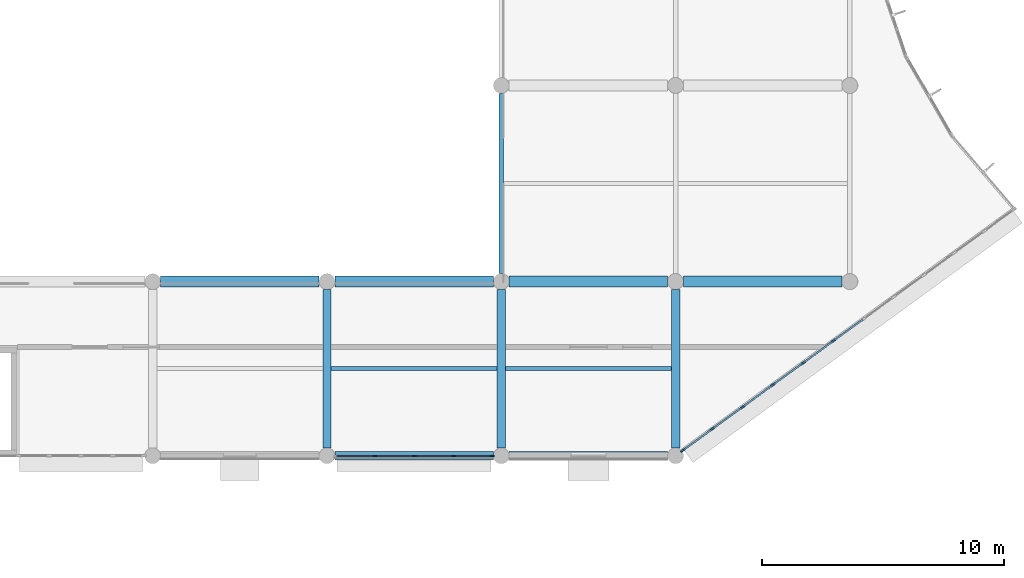
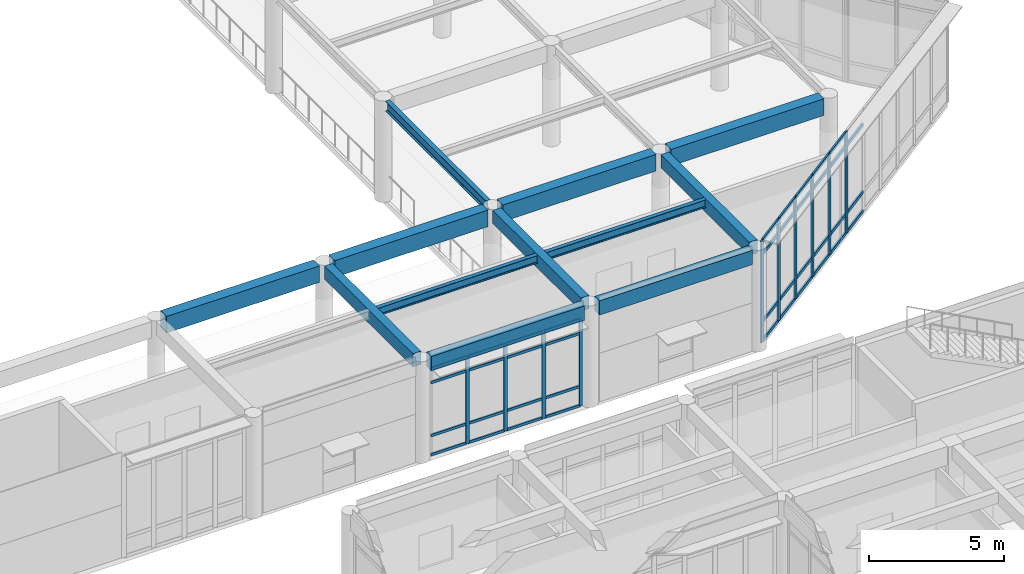
# One storey, part 8 of 92: 49 members, 12 beams, 2 elements without a shape of their own.
"""IFC4 building model written with IfcOpenShell, lengths in metres."""

from ifc_helpers import new_model, si_unit, direction, frame, origin, origin_2d, place, context, subcontext, project, spatial, rectangle, i_section, extrude, material, layer, layer_set, material_profile, profile_set, type_object, element, aggregate, save


model = new_model("IFC4")

# Units and contexts
model_context = context("Model", 3, precision=1e-05, world=origin(), true_north=direction((0.0, 1.0)))
body_context = subcontext(model_context, "Body", "Model", "MODEL_VIEW")
ifc_project = project(units=[si_unit("LENGTHUNIT", "METRE"), si_unit("AREAUNIT", "SQUARE_METRE"), si_unit("VOLUMEUNIT", "CUBIC_METRE"), si_unit("PLANEANGLEUNIT", "RADIAN"), si_unit("MASSUNIT", "GRAM", prefix="KILO")], contexts=[model_context])

# Site, building, storey
site_placement = place(None, origin())
site = spatial("IfcSite", under=ifc_project, at=site_placement, CompositionType="ELEMENT")
building_placement = place(site_placement, origin())
building = spatial("IfcBuilding", under=site, at=building_placement, Name="Namkhue Oval Health Centre", CompositionType="ELEMENT")
storey_placement = place(building_placement, frame((0.0, 0.0, 4.800048828125)))
storey = spatial("IfcBuildingStorey", under=building, at=storey_placement, Name="L01", CompositionType="ELEMENT", Elevation=4.800048828125)

# Curtain wall, members
ifc_material_1 = material(Name="Anodised aluminium EN AW-6063 T6", Category="aluminium")
ifc_layer_1 = layer(ifc_material_1, 0.159912109375)
ifc_layer_set_1 = layer_set([ifc_layer_1], Name="Anodised aluminium EN AW-6063 T6")
curtain_wall_type_1 = type_object("IfcCurtainWallType", Name="UNITISED CURTAIN WALL M1500", PredefinedType="NOTDEFINED", material=ifc_layer_set_1)
curtain_wall_1_placement = place(storey_placement, origin())
curtain_wall_1 = element("IfcCurtainWall", 1, at=curtain_wall_1_placement, inside=storey, type_object=curtain_wall_type_1, Name="Volume V1 L01 Unitised Curtain Wall 21", PredefinedType="NOTDEFINED")
ifc_material_profile_1 = material_profile(ifc_material_1, rectangle(XDim=0.06494140625, YDim=0.159912109375, at=origin_2d()), Name="ALU 65x160")
ifc_profile_set_1 = profile_set([ifc_material_profile_1], Name="Anodised aluminium EN AW-6063 T6")
member_type_1 = type_object("IfcMemberType", Name="CURTAIN WALL MULLION 65X160", PredefinedType="MULLION", material=ifc_profile_set_1)
member_1_placement = place(storey_placement, frame((45.16748046875, 36.0, 0.0), z_axis=(0.0, 0.0, 1.0), x_axis=(0.0, 1.0, 0.0)))
member_1 = element("IfcMember", 2, at=member_1_placement, type_object=member_type_1, Name="CW-03 mullion 2", PredefinedType="MULLION", context=body_context, shape_type="SweptSolid", body=[
    extrude(rectangle(XDim=0.06494140625, YDim=0.159912109375, at=origin_2d()), origin(), (0.0, 0.0, 1.0), 3.949951171875),
])
member_2_placement = place(storey_placement, frame((46.800048828125, 36.0, 0.0), z_axis=(0.0, 0.0, 1.0), x_axis=(0.0, 1.0, 0.0)))
member_2 = element("IfcMember", 3, at=member_2_placement, type_object=member_type_1, Name="CW-03 mullion 3", PredefinedType="MULLION", context=body_context, shape_type="SweptSolid", body=[
    extrude(rectangle(XDim=0.06494140625, YDim=0.159912109375, at=origin_2d()), origin(), (0.0, 0.0, 1.0), 3.949951171875),
])
member_3_placement = place(storey_placement, frame((48.4326171875, 36.0, 0.0), z_axis=(0.0, 0.0, 1.0), x_axis=(0.0, 1.0, 0.0)))
member_3 = element("IfcMember", 4, at=member_3_placement, type_object=member_type_1, Name="CW-03 mullion 4", PredefinedType="MULLION", context=body_context, shape_type="SweptSolid", body=[
    extrude(rectangle(XDim=0.06494140625, YDim=0.159912109375, at=origin_2d()), origin(), (0.0, 0.0, 1.0), 3.949951171875),
])
member_4_placement = place(storey_placement, frame((50.032470703125, 36.0, 0.0), z_axis=(0.0, 0.0, 1.0), x_axis=(0.0, 1.0, 0.0)))
member_4 = element("IfcMember", 5, at=member_4_placement, type_object=member_type_1, Name="CW-03 mullion 5", PredefinedType="MULLION", context=body_context, shape_type="SweptSolid", body=[
    extrude(rectangle(XDim=0.06494140625, YDim=0.159912109375, at=origin_2d()), origin(), (0.0, 0.0, 1.0), 3.949951171875),
])

ifc_layer_2 = layer(ifc_material_1, 0.159912109375)
ifc_layer_set_2 = layer_set([ifc_layer_2], Name="Anodised aluminium EN AW-6063 T6")
curtain_wall_type_2 = type_object("IfcCurtainWallType", Name="UNITISED CURTAIN WALL M1600", PredefinedType="NOTDEFINED", material=ifc_layer_set_2)
curtain_wall_2_placement = place(storey_placement, origin())
curtain_wall_2 = element("IfcCurtainWall", 6, at=curtain_wall_2_placement, inside=storey, type_object=curtain_wall_type_2, Name="Volume V1 L01 Unitised Curtain Wall 22", PredefinedType="NOTDEFINED")
ifc_material_profile_2 = material_profile(ifc_material_1, rectangle(XDim=0.074951171875, YDim=0.199951171875, at=origin_2d()), Name="ALU 75x200")
ifc_profile_set_2 = profile_set([ifc_material_profile_2], Name="Anodised aluminium EN AW-6063 T6")
member_type_2 = type_object("IfcMemberType", Name="CURTAIN WALL MULLION 75X200", PredefinedType="MULLION", material=ifc_profile_set_2)
member_5_placement = place(storey_placement, frame((57.901123046875, 36.21923828125, 0.0), z_axis=(0.0, 0.0, 1.0), x_axis=(-0.588476942894, 0.808513999682, 0.0)))
member_5 = element("IfcMember", 7, at=member_5_placement, type_object=member_type_2, Name="CW-04 mullion 1", PredefinedType="MULLION", context=body_context, shape_type="SweptSolid", body=[
    extrude(rectangle(XDim=0.074951171875, YDim=0.199951171875, at=origin_2d()), origin(), (0.0, 0.0, 1.0), 4.599853515625),
])
member_6_placement = place(storey_placement, frame((59.12060546875, 37.106689453125, 0.0), z_axis=(0.0, 0.0, 1.0), x_axis=(-0.588476942894, 0.808513999682, 0.0)))
member_6 = element("IfcMember", 8, at=member_6_placement, type_object=member_type_2, Name="CW-04 mullion 2", PredefinedType="MULLION", context=body_context, shape_type="SweptSolid", body=[
    extrude(rectangle(XDim=0.074951171875, YDim=0.199951171875, at=origin_2d()), origin(), (0.0, 0.0, 1.0), 4.599853515625),
])
member_7_placement = place(storey_placement, frame((60.370361328125, 38.016357421875, 0.0), z_axis=(0.0, 0.0, 1.0), x_axis=(-0.588476942894, 0.808513999682, 0.0)))
member_7 = element("IfcMember", 9, at=member_7_placement, type_object=member_type_2, Name="CW-04 mullion 3", PredefinedType="MULLION", context=body_context, shape_type="SweptSolid", body=[
    extrude(rectangle(XDim=0.074951171875, YDim=0.199951171875, at=origin_2d()), origin(), (0.0, 0.0, 1.0), 4.599853515625),
])
member_8_placement = place(storey_placement, frame((61.6201171875, 38.926025390625, 0.0), z_axis=(0.0, 0.0, 1.0), x_axis=(-0.588476942894, 0.808513999682, 0.0)))
member_8 = element("IfcMember", 10, at=member_8_placement, type_object=member_type_2, Name="CW-04 mullion 4", PredefinedType="MULLION", context=body_context, shape_type="SweptSolid", body=[
    extrude(rectangle(XDim=0.074951171875, YDim=0.199951171875, at=origin_2d()), origin(), (0.0, 0.0, 1.0), 4.599853515625),
])
member_9_placement = place(storey_placement, frame((62.869873046875, 39.835693359375, 0.0), z_axis=(0.0, 0.0, 1.0), x_axis=(-0.588476942894, 0.808513999682, 0.0)))
member_9 = element("IfcMember", 11, at=member_9_placement, type_object=member_type_2, Name="CW-04 mullion 5", PredefinedType="MULLION", context=body_context, shape_type="SweptSolid", body=[
    extrude(rectangle(XDim=0.074951171875, YDim=0.199951171875, at=origin_2d()), origin(), (0.0, 0.0, 1.0), 4.599853515625),
])
member_10_placement = place(storey_placement, frame((64.11962890625, 40.7451171875, 0.0), z_axis=(0.0, 0.0, 1.0), x_axis=(-0.588476942894, 0.808513999682, 0.0)))
member_10 = element("IfcMember", 12, at=member_10_placement, type_object=member_type_2, Name="CW-04 mullion 6", PredefinedType="MULLION", context=body_context, shape_type="SweptSolid", body=[
    extrude(rectangle(XDim=0.074951171875, YDim=0.199951171875, at=origin_2d()), origin(), (0.0, 0.0, 1.0), 4.599853515625),
])

# Member
ifc_material_profile_3 = material_profile(ifc_material_1, rectangle(XDim=0.06494140625, YDim=0.1201171875, at=origin_2d()), Name="ALU 65x120")
ifc_profile_set_3 = profile_set([ifc_material_profile_3], Name="Anodised aluminium EN AW-6063 T6")
member_type_3 = type_object("IfcMemberType", Name="CURTAIN WALL TRANSOM 65X120", PredefinedType="USERDEFINED", material=ifc_profile_set_3)
member_11_placement = place(storey_placement, frame((43.60009765625, 36.0, 0.032470703125), z_axis=(1.0, 0.0, 0.0), x_axis=(0.0, 1.0, 0.0)))
member_11 = element("IfcMember", 13, at=member_11_placement, type_object=member_type_3, Name="CW-03 transom 1.1", ObjectType="TRANSOM", PredefinedType="USERDEFINED", context=body_context, shape_type="SweptSolid", body=[
    extrude(rectangle(XDim=0.06494140625, YDim=0.1201171875, at=origin_2d()), origin(), (0.0, 0.0, 1.0), 1.534912109375),
])

member_12_placement = place(storey_placement, frame((43.60009765625, 36.0, 0.89990234375), z_axis=(1.0, 0.0, 0.0), x_axis=(0.0, 1.0, 0.0)))
member_12 = element("IfcMember", 14, at=member_12_placement, type_object=member_type_3, Name="CW-03 transom 1.2", ObjectType="TRANSOM", PredefinedType="USERDEFINED", context=body_context, shape_type="SweptSolid", body=[
    extrude(rectangle(XDim=0.06494140625, YDim=0.1201171875, at=origin_2d()), origin(), (0.0, 0.0, 1.0), 1.534912109375),
])

member_13_placement = place(storey_placement, frame((43.60009765625, 36.0, 3.300048828125), z_axis=(1.0, 0.0, 0.0), x_axis=(0.0, 1.0, 0.0)))
member_13 = element("IfcMember", 15, at=member_13_placement, type_object=member_type_3, Name="CW-03 transom 1.3", ObjectType="TRANSOM", PredefinedType="USERDEFINED", context=body_context, shape_type="SweptSolid", body=[
    extrude(rectangle(XDim=0.06494140625, YDim=0.1201171875, at=origin_2d()), origin(), (0.0, 0.0, 1.0), 1.534912109375),
])

member_14_placement = place(storey_placement, frame((43.60009765625, 36.0, 3.91748046875), z_axis=(1.0, 0.0, 0.0), x_axis=(0.0, 1.0, 0.0)))
member_14 = element("IfcMember", 16, at=member_14_placement, type_object=member_type_3, Name="CW-03 transom 1.4", ObjectType="TRANSOM", PredefinedType="USERDEFINED", context=body_context, shape_type="SweptSolid", body=[
    extrude(rectangle(XDim=0.06494140625, YDim=0.1201171875, at=origin_2d()), origin(), (0.0, 0.0, 1.0), 1.534912109375),
])

member_15_placement = place(storey_placement, frame((45.199951171875, 36.0, 0.032470703125), z_axis=(1.0, 0.0, 0.0), x_axis=(0.0, 1.0, 0.0)))
member_15 = element("IfcMember", 17, at=member_15_placement, type_object=member_type_3, Name="CW-03 transom 2.1", ObjectType="TRANSOM", PredefinedType="USERDEFINED", context=body_context, shape_type="SweptSolid", body=[
    extrude(rectangle(XDim=0.06494140625, YDim=0.1201171875, at=origin_2d()), origin(), (0.0, 0.0, 1.0), 1.567626953125),
])

member_16_placement = place(storey_placement, frame((45.199951171875, 36.0, 0.89990234375), z_axis=(1.0, 0.0, 0.0), x_axis=(0.0, 1.0, 0.0)))
member_16 = element("IfcMember", 18, at=member_16_placement, type_object=member_type_3, Name="CW-03 transom 2.2", ObjectType="TRANSOM", PredefinedType="USERDEFINED", context=body_context, shape_type="SweptSolid", body=[
    extrude(rectangle(XDim=0.06494140625, YDim=0.1201171875, at=origin_2d()), origin(), (0.0, 0.0, 1.0), 1.567626953125),
])

member_17_placement = place(storey_placement, frame((45.199951171875, 36.0, 3.300048828125), z_axis=(1.0, 0.0, 0.0), x_axis=(0.0, 1.0, 0.0)))
member_17 = element("IfcMember", 19, at=member_17_placement, type_object=member_type_3, Name="CW-03 transom 2.3", ObjectType="TRANSOM", PredefinedType="USERDEFINED", context=body_context, shape_type="SweptSolid", body=[
    extrude(rectangle(XDim=0.06494140625, YDim=0.1201171875, at=origin_2d()), origin(), (0.0, 0.0, 1.0), 1.567626953125),
])

member_18_placement = place(storey_placement, frame((45.199951171875, 36.0, 3.91748046875), z_axis=(1.0, 0.0, 0.0), x_axis=(0.0, 1.0, 0.0)))
member_18 = element("IfcMember", 20, at=member_18_placement, type_object=member_type_3, Name="CW-03 transom 2.4", ObjectType="TRANSOM", PredefinedType="USERDEFINED", context=body_context, shape_type="SweptSolid", body=[
    extrude(rectangle(XDim=0.06494140625, YDim=0.1201171875, at=origin_2d()), origin(), (0.0, 0.0, 1.0), 1.567626953125),
])

member_19_placement = place(storey_placement, frame((46.83251953125, 36.0, 0.032470703125), z_axis=(1.0, 0.0, 0.0), x_axis=(0.0, 1.0, 0.0)))
member_19 = element("IfcMember", 21, at=member_19_placement, type_object=member_type_3, Name="CW-03 transom 3.1", ObjectType="TRANSOM", PredefinedType="USERDEFINED", context=body_context, shape_type="SweptSolid", body=[
    extrude(rectangle(XDim=0.06494140625, YDim=0.1201171875, at=origin_2d()), origin(), (0.0, 0.0, 1.0), 1.5673828125),
])

member_20_placement = place(storey_placement, frame((46.83251953125, 36.0, 0.89990234375), z_axis=(1.0, 0.0, 0.0), x_axis=(0.0, 1.0, 0.0)))
member_20 = element("IfcMember", 22, at=member_20_placement, type_object=member_type_3, Name="CW-03 transom 3.2", ObjectType="TRANSOM", PredefinedType="USERDEFINED", context=body_context, shape_type="SweptSolid", body=[
    extrude(rectangle(XDim=0.06494140625, YDim=0.1201171875, at=origin_2d()), origin(), (0.0, 0.0, 1.0), 1.5673828125),
])

member_21_placement = place(storey_placement, frame((46.83251953125, 36.0, 3.300048828125), z_axis=(1.0, 0.0, 0.0), x_axis=(0.0, 1.0, 0.0)))
member_21 = element("IfcMember", 23, at=member_21_placement, type_object=member_type_3, Name="CW-03 transom 3.3", ObjectType="TRANSOM", PredefinedType="USERDEFINED", context=body_context, shape_type="SweptSolid", body=[
    extrude(rectangle(XDim=0.06494140625, YDim=0.1201171875, at=origin_2d()), origin(), (0.0, 0.0, 1.0), 1.5673828125),
])

member_22_placement = place(storey_placement, frame((46.83251953125, 36.0, 3.91748046875), z_axis=(1.0, 0.0, 0.0), x_axis=(0.0, 1.0, 0.0)))
member_22 = element("IfcMember", 24, at=member_22_placement, type_object=member_type_3, Name="CW-03 transom 3.4", ObjectType="TRANSOM", PredefinedType="USERDEFINED", context=body_context, shape_type="SweptSolid", body=[
    extrude(rectangle(XDim=0.06494140625, YDim=0.1201171875, at=origin_2d()), origin(), (0.0, 0.0, 1.0), 1.5673828125),
])

member_23_placement = place(storey_placement, frame((48.465087890625, 36.0, 0.032470703125), z_axis=(1.0, 0.0, 0.0), x_axis=(0.0, 1.0, 0.0)))
member_23 = element("IfcMember", 25, at=member_23_placement, type_object=member_type_3, Name="CW-03 transom 4.1", ObjectType="TRANSOM", PredefinedType="USERDEFINED", context=body_context, shape_type="SweptSolid", body=[
    extrude(rectangle(XDim=0.06494140625, YDim=0.1201171875, at=origin_2d()), origin(), (0.0, 0.0, 1.0), 1.534912109375),
])

member_24_placement = place(storey_placement, frame((48.465087890625, 36.0, 0.89990234375), z_axis=(1.0, 0.0, 0.0), x_axis=(0.0, 1.0, 0.0)))
member_24 = element("IfcMember", 26, at=member_24_placement, type_object=member_type_3, Name="CW-03 transom 4.2", ObjectType="TRANSOM", PredefinedType="USERDEFINED", context=body_context, shape_type="SweptSolid", body=[
    extrude(rectangle(XDim=0.06494140625, YDim=0.1201171875, at=origin_2d()), origin(), (0.0, 0.0, 1.0), 1.534912109375),
])

member_25_placement = place(storey_placement, frame((48.465087890625, 36.0, 3.300048828125), z_axis=(1.0, 0.0, 0.0), x_axis=(0.0, 1.0, 0.0)))
member_25 = element("IfcMember", 27, at=member_25_placement, type_object=member_type_3, Name="CW-03 transom 4.3", ObjectType="TRANSOM", PredefinedType="USERDEFINED", context=body_context, shape_type="SweptSolid", body=[
    extrude(rectangle(XDim=0.06494140625, YDim=0.1201171875, at=origin_2d()), origin(), (0.0, 0.0, 1.0), 1.534912109375),
])

member_26_placement = place(storey_placement, frame((48.465087890625, 36.0, 3.91748046875), z_axis=(1.0, 0.0, 0.0), x_axis=(0.0, 1.0, 0.0)))
member_26 = element("IfcMember", 28, at=member_26_placement, type_object=member_type_3, Name="CW-03 transom 4.4", ObjectType="TRANSOM", PredefinedType="USERDEFINED", context=body_context, shape_type="SweptSolid", body=[
    extrude(rectangle(XDim=0.06494140625, YDim=0.1201171875, at=origin_2d()), origin(), (0.0, 0.0, 1.0), 1.534912109375),
])

aggregate(curtain_wall_1, [member_1, member_2, member_3, member_4, member_11, member_12, member_13, member_14, member_15, member_16, member_17, member_18, member_19, member_20, member_21, member_22, member_23, member_24, member_25, member_26])

ifc_material_profile_4 = material_profile(ifc_material_1, rectangle(XDim=0.074951171875, YDim=0.14990234375, at=origin_2d()), Name="ALU 75x150")
ifc_profile_set_4 = profile_set([ifc_material_profile_4], Name="Anodised aluminium EN AW-6063 T6")
member_type_4 = type_object("IfcMemberType", Name="CURTAIN WALL TRANSOM 75X150", PredefinedType="USERDEFINED", material=ifc_profile_set_4)
member_27_placement = place(storey_placement, frame((57.931396484375, 36.2412109375, 0.037353515625), z_axis=(0.808522436951, 0.588465350677, 0.0), x_axis=(-0.588465350677, 0.808522436951, 0.0)))
member_27 = element("IfcMember", 29, at=member_27_placement, type_object=member_type_4, Name="CW-04 transom 1.1", ObjectType="TRANSOM", PredefinedType="USERDEFINED", context=body_context, shape_type="SweptSolid", body=[
    extrude(rectangle(XDim=0.074951171875, YDim=0.14990234375, at=origin_2d()), origin(), (0.0, 0.0, 1.0), 1.433349609375),
])

member_28_placement = place(storey_placement, frame((57.931396484375, 36.2412109375, 0.89990234375), z_axis=(0.808522436951, 0.588465350677, 0.0), x_axis=(-0.588465350677, 0.808522436951, 0.0)))
member_28 = element("IfcMember", 30, at=member_28_placement, type_object=member_type_4, Name="CW-04 transom 1.2", ObjectType="TRANSOM", PredefinedType="USERDEFINED", context=body_context, shape_type="SweptSolid", body=[
    extrude(rectangle(XDim=0.074951171875, YDim=0.14990234375, at=origin_2d()), origin(), (0.0, 0.0, 1.0), 1.433349609375),
])

member_29_placement = place(storey_placement, frame((57.931396484375, 36.2412109375, 3.949951171875), z_axis=(0.808522436951, 0.588465350677, 0.0), x_axis=(-0.588465350677, 0.808522436951, 0.0)))
member_29 = element("IfcMember", 31, at=member_29_placement, type_object=member_type_4, Name="CW-04 transom 1.3", ObjectType="TRANSOM", PredefinedType="USERDEFINED", context=body_context, shape_type="SweptSolid", body=[
    extrude(rectangle(XDim=0.074951171875, YDim=0.14990234375, at=origin_2d()), origin(), (0.0, 0.0, 1.0), 1.433349609375),
])

member_30_placement = place(storey_placement, frame((57.931396484375, 36.2412109375, 4.5625), z_axis=(0.808522436951, 0.588465350677, 0.0), x_axis=(-0.588465350677, 0.808522436951, 0.0)))
member_30 = element("IfcMember", 32, at=member_30_placement, type_object=member_type_4, Name="CW-04 transom 1.4", ObjectType="TRANSOM", PredefinedType="USERDEFINED", context=body_context, shape_type="SweptSolid", body=[
    extrude(rectangle(XDim=0.074951171875, YDim=0.14990234375, at=origin_2d()), origin(), (0.0, 0.0, 1.0), 1.433349609375),
])

member_31_placement = place(storey_placement, frame((59.15087890625, 37.12890625, 0.037353515625), z_axis=(0.808542234674, 0.588438148618, 0.0), x_axis=(-0.588438148618, 0.808542234674, 0.0)))
member_31 = element("IfcMember", 33, at=member_31_placement, type_object=member_type_4, Name="CW-04 transom 2.1", ObjectType="TRANSOM", PredefinedType="USERDEFINED", context=body_context, shape_type="SweptSolid", body=[
    extrude(rectangle(XDim=0.074951171875, YDim=0.14990234375, at=origin_2d()), origin(), (0.0, 0.0, 1.0), 1.470703125),
])

member_32_placement = place(storey_placement, frame((59.15087890625, 37.12890625, 0.89990234375), z_axis=(0.808542234674, 0.588438148618, 0.0), x_axis=(-0.588438148618, 0.808542234674, 0.0)))
member_32 = element("IfcMember", 34, at=member_32_placement, type_object=member_type_4, Name="CW-04 transom 2.2", ObjectType="TRANSOM", PredefinedType="USERDEFINED", context=body_context, shape_type="SweptSolid", body=[
    extrude(rectangle(XDim=0.074951171875, YDim=0.14990234375, at=origin_2d()), origin(), (0.0, 0.0, 1.0), 1.470703125),
])

member_33_placement = place(storey_placement, frame((59.15087890625, 37.12890625, 3.949951171875), z_axis=(0.808542234674, 0.588438148618, 0.0), x_axis=(-0.588438148618, 0.808542234674, 0.0)))
member_33 = element("IfcMember", 35, at=member_33_placement, type_object=member_type_4, Name="CW-04 transom 2.3", ObjectType="TRANSOM", PredefinedType="USERDEFINED", context=body_context, shape_type="SweptSolid", body=[
    extrude(rectangle(XDim=0.074951171875, YDim=0.14990234375, at=origin_2d()), origin(), (0.0, 0.0, 1.0), 1.470703125),
])

member_34_placement = place(storey_placement, frame((59.15087890625, 37.12890625, 4.5625), z_axis=(0.808542234674, 0.588438148618, 0.0), x_axis=(-0.588438148618, 0.808542234674, 0.0)))
member_34 = element("IfcMember", 36, at=member_34_placement, type_object=member_type_4, Name="CW-04 transom 2.4", ObjectType="TRANSOM", PredefinedType="USERDEFINED", context=body_context, shape_type="SweptSolid", body=[
    extrude(rectangle(XDim=0.074951171875, YDim=0.14990234375, at=origin_2d()), origin(), (0.0, 0.0, 1.0), 1.470703125),
])

member_35_placement = place(storey_placement, frame((60.400634765625, 38.038330078125, 0.037353515625), z_axis=(0.808484747143, 0.588517131134, 0.0), x_axis=(-0.588517131134, 0.808484747143, 0.0)))
member_35 = element("IfcMember", 37, at=member_35_placement, type_object=member_type_4, Name="CW-04 transom 3.1", ObjectType="TRANSOM", PredefinedType="USERDEFINED", context=body_context, shape_type="SweptSolid", body=[
    extrude(rectangle(XDim=0.074951171875, YDim=0.14990234375, at=origin_2d()), origin(), (0.0, 0.0, 1.0), 1.470703125),
])

member_36_placement = place(storey_placement, frame((60.400634765625, 38.038330078125, 0.89990234375), z_axis=(0.808484747143, 0.588517131134, 0.0), x_axis=(-0.588517131134, 0.808484747143, 0.0)))
member_36 = element("IfcMember", 38, at=member_36_placement, type_object=member_type_4, Name="CW-04 transom 3.2", ObjectType="TRANSOM", PredefinedType="USERDEFINED", context=body_context, shape_type="SweptSolid", body=[
    extrude(rectangle(XDim=0.074951171875, YDim=0.14990234375, at=origin_2d()), origin(), (0.0, 0.0, 1.0), 1.470703125),
])

member_37_placement = place(storey_placement, frame((60.400634765625, 38.038330078125, 3.949951171875), z_axis=(0.808484747143, 0.588517131134, 0.0), x_axis=(-0.588517131134, 0.808484747143, 0.0)))
member_37 = element("IfcMember", 39, at=member_37_placement, type_object=member_type_4, Name="CW-04 transom 3.3", ObjectType="TRANSOM", PredefinedType="USERDEFINED", context=body_context, shape_type="SweptSolid", body=[
    extrude(rectangle(XDim=0.074951171875, YDim=0.14990234375, at=origin_2d()), origin(), (0.0, 0.0, 1.0), 1.470703125),
])

member_38_placement = place(storey_placement, frame((60.400634765625, 38.038330078125, 4.5625), z_axis=(0.808484747143, 0.588517131134, 0.0), x_axis=(-0.588517131134, 0.808484747143, 0.0)))
member_38 = element("IfcMember", 40, at=member_38_placement, type_object=member_type_4, Name="CW-04 transom 3.4", ObjectType="TRANSOM", PredefinedType="USERDEFINED", context=body_context, shape_type="SweptSolid", body=[
    extrude(rectangle(XDim=0.074951171875, YDim=0.14990234375, at=origin_2d()), origin(), (0.0, 0.0, 1.0), 1.470703125),
])

member_39_placement = place(storey_placement, frame((61.650390625, 38.947998046875, 0.037353515625), z_axis=(0.808484747143, 0.588517131134, 0.0), x_axis=(-0.588517131134, 0.808484747143, 0.0)))
member_39 = element("IfcMember", 41, at=member_39_placement, type_object=member_type_4, Name="CW-04 transom 4.1", ObjectType="TRANSOM", PredefinedType="USERDEFINED", context=body_context, shape_type="SweptSolid", body=[
    extrude(rectangle(XDim=0.074951171875, YDim=0.14990234375, at=origin_2d()), origin(), (0.0, 0.0, 1.0), 1.470703125),
])

member_40_placement = place(storey_placement, frame((61.650390625, 38.947998046875, 0.89990234375), z_axis=(0.808484747143, 0.588517131134, 0.0), x_axis=(-0.588517131134, 0.808484747143, 0.0)))
member_40 = element("IfcMember", 42, at=member_40_placement, type_object=member_type_4, Name="CW-04 transom 4.2", ObjectType="TRANSOM", PredefinedType="USERDEFINED", context=body_context, shape_type="SweptSolid", body=[
    extrude(rectangle(XDim=0.074951171875, YDim=0.14990234375, at=origin_2d()), origin(), (0.0, 0.0, 1.0), 1.470703125),
])

member_41_placement = place(storey_placement, frame((61.650390625, 38.947998046875, 3.949951171875), z_axis=(0.808484747143, 0.588517131134, 0.0), x_axis=(-0.588517131134, 0.808484747143, 0.0)))
member_41 = element("IfcMember", 43, at=member_41_placement, type_object=member_type_4, Name="CW-04 transom 4.3", ObjectType="TRANSOM", PredefinedType="USERDEFINED", context=body_context, shape_type="SweptSolid", body=[
    extrude(rectangle(XDim=0.074951171875, YDim=0.14990234375, at=origin_2d()), origin(), (0.0, 0.0, 1.0), 1.470703125),
])

member_42_placement = place(storey_placement, frame((61.650390625, 38.947998046875, 4.5625), z_axis=(0.808484747143, 0.588517131134, 0.0), x_axis=(-0.588517131134, 0.808484747143, 0.0)))
member_42 = element("IfcMember", 44, at=member_42_placement, type_object=member_type_4, Name="CW-04 transom 4.4", ObjectType="TRANSOM", PredefinedType="USERDEFINED", context=body_context, shape_type="SweptSolid", body=[
    extrude(rectangle(XDim=0.074951171875, YDim=0.14990234375, at=origin_2d()), origin(), (0.0, 0.0, 1.0), 1.470703125),
])

member_43_placement = place(storey_placement, frame((62.900146484375, 39.857666015625, 0.037353515625), z_axis=(0.808484747143, 0.588517131134, 0.0), x_axis=(-0.588517131134, 0.808484747143, 0.0)))
member_43 = element("IfcMember", 45, at=member_43_placement, type_object=member_type_4, Name="CW-04 transom 5.1", ObjectType="TRANSOM", PredefinedType="USERDEFINED", context=body_context, shape_type="SweptSolid", body=[
    extrude(rectangle(XDim=0.074951171875, YDim=0.14990234375, at=origin_2d()), origin(), (0.0, 0.0, 1.0), 1.470703125),
])

member_44_placement = place(storey_placement, frame((62.900146484375, 39.857666015625, 0.89990234375), z_axis=(0.808484747143, 0.588517131134, 0.0), x_axis=(-0.588517131134, 0.808484747143, 0.0)))
member_44 = element("IfcMember", 46, at=member_44_placement, type_object=member_type_4, Name="CW-04 transom 5.2", ObjectType="TRANSOM", PredefinedType="USERDEFINED", context=body_context, shape_type="SweptSolid", body=[
    extrude(rectangle(XDim=0.074951171875, YDim=0.14990234375, at=origin_2d()), origin(), (0.0, 0.0, 1.0), 1.470703125),
])

member_45_placement = place(storey_placement, frame((62.900146484375, 39.857666015625, 3.949951171875), z_axis=(0.808484747143, 0.588517131134, 0.0), x_axis=(-0.588517131134, 0.808484747143, 0.0)))
member_45 = element("IfcMember", 47, at=member_45_placement, type_object=member_type_4, Name="CW-04 transom 5.3", ObjectType="TRANSOM", PredefinedType="USERDEFINED", context=body_context, shape_type="SweptSolid", body=[
    extrude(rectangle(XDim=0.074951171875, YDim=0.14990234375, at=origin_2d()), origin(), (0.0, 0.0, 1.0), 1.470703125),
])

member_46_placement = place(storey_placement, frame((62.900146484375, 39.857666015625, 4.5625), z_axis=(0.808484747143, 0.588517131134, 0.0), x_axis=(-0.588517131134, 0.808484747143, 0.0)))
member_46 = element("IfcMember", 48, at=member_46_placement, type_object=member_type_4, Name="CW-04 transom 5.4", ObjectType="TRANSOM", PredefinedType="USERDEFINED", context=body_context, shape_type="SweptSolid", body=[
    extrude(rectangle(XDim=0.074951171875, YDim=0.14990234375, at=origin_2d()), origin(), (0.0, 0.0, 1.0), 1.470703125),
])

member_47_placement = place(storey_placement, frame((64.14990234375, 40.767333984375, 0.037353515625), z_axis=(0.808484747143, 0.588517131134, 0.0), x_axis=(-0.588517131134, 0.808484747143, 0.0)))
member_47 = element("IfcMember", 49, at=member_47_placement, type_object=member_type_4, Name="CW-04 transom 6.1", ObjectType="TRANSOM", PredefinedType="USERDEFINED", context=body_context, shape_type="SweptSolid", body=[
    extrude(rectangle(XDim=0.074951171875, YDim=0.14990234375, at=origin_2d()), origin(), (0.0, 0.0, 1.0), 1.470703125),
])

member_48_placement = place(storey_placement, frame((64.14990234375, 40.767333984375, 0.89990234375), z_axis=(0.808484747143, 0.588517131134, 0.0), x_axis=(-0.588517131134, 0.808484747143, 0.0)))
member_48 = element("IfcMember", 50, at=member_48_placement, type_object=member_type_4, Name="CW-04 transom 6.2", ObjectType="TRANSOM", PredefinedType="USERDEFINED", context=body_context, shape_type="SweptSolid", body=[
    extrude(rectangle(XDim=0.074951171875, YDim=0.14990234375, at=origin_2d()), origin(), (0.0, 0.0, 1.0), 1.470703125),
])

member_49_placement = place(storey_placement, frame((64.14990234375, 40.767333984375, 3.949951171875), z_axis=(0.808484747143, 0.588517131134, 0.0), x_axis=(-0.588517131134, 0.808484747143, 0.0)))
member_49 = element("IfcMember", 51, at=member_49_placement, type_object=member_type_4, Name="CW-04 transom 6.3", ObjectType="TRANSOM", PredefinedType="USERDEFINED", context=body_context, shape_type="SweptSolid", body=[
    extrude(rectangle(XDim=0.074951171875, YDim=0.14990234375, at=origin_2d()), origin(), (0.0, 0.0, 1.0), 1.470703125),
])

aggregate(curtain_wall_2, [member_5, member_6, member_7, member_8, member_9, member_10, member_27, member_28, member_29, member_30, member_31, member_32, member_33, member_34, member_35, member_36, member_37, member_38, member_39, member_40, member_41, member_42, member_43, member_44, member_45, member_46, member_47, member_48, member_49])

# Beams
ifc_material_2 = material(Name="Reinforced concrete C30/37 (TCVN B35)", Category="concrete")
ifc_material_profile_5 = material_profile(ifc_material_2, rectangle(XDim=0.35009765625, YDim=0.60009765625, at=origin_2d()), Name="RC 350x600")
ifc_profile_set_5 = profile_set([ifc_material_profile_5], Name="Reinforced concrete C30/37 (TCVN B35)")
beam_type_1 = type_object("IfcBeamType", Name="FLOOR BEAM RC 350X600", PredefinedType="BEAM", material=ifc_profile_set_5)
for number, where, z_axis, x_axis, name in (
    (52, (43.199951171875, 36.324951171875, 4.300048828125), (0.0, 1.0, 0.0), (-1.0, 0.0, 0.0), "Volume V1 L02 Beam 7/F-G"),
    (53, (50.39990234375, 36.324951171875, 4.300048828125), (0.0, 1.0, 0.0), (-1.0, 0.0, 0.0), "Volume V1 L02 Beam 8/F-G"),
    (54, (57.60009765625, 36.324951171875, 4.300048828125), (0.0, 1.0, 0.0), (-1.0, 0.0, 0.0), "Volume V1 L02 Beam 9/F-G"),
):
    element("IfcBeam", number, at=place(storey_placement, frame(where, z_axis=z_axis, x_axis=x_axis)), inside=storey, type_object=beam_type_1, Name=name, PredefinedType="BEAM", context=body_context, shape_type="SweptSolid", body=[
        extrude(rectangle(XDim=0.35009765625, YDim=0.60009765625, at=origin_2d()), origin(), (0.0, 0.0, 1.0), 6.550048828125),
    ])
ifc_material_3 = material(Name="Structural steel EN 10025-2 S355JR (TCVN 5575:2024)", Category="steel")
ifc_material_profile_6 = material_profile(ifc_material_3, i_section(OverallWidth=0.18994140625, OverallDepth=0.449951171875, WebThickness=0.009521484375, FlangeThickness=0.0146484375, FilletRadius=0.02099609375, at=origin_2d()), Name="IPE 450")
ifc_profile_set_6 = profile_set([ifc_material_profile_6], Name="Structural steel EN 10025-2 S355JR (TCVN 5575:2024)")
beam_type_2 = type_object("IfcBeamType", Name="FLOOR BEAM STEEL IPE 450", PredefinedType="BEAM", material=ifc_profile_set_6)
beam_1_placement = place(storey_placement, frame((50.39990234375, 43.52490234375, 4.375), z_axis=(0.0, 1.0, 0.0), x_axis=(-1.0, 0.0, 0.0)))
element("IfcBeam", 55, at=beam_1_placement, inside=storey, type_object=beam_type_2, Name="Volume V1 L02 Beam 8/G-H", PredefinedType="BEAM", context=body_context, shape_type="SweptSolid", body=[
    extrude(i_section(OverallWidth=0.18994140625, OverallDepth=0.449951171875, WebThickness=0.009521484375, FlangeThickness=0.0146484375, FilletRadius=0.02099609375, at=origin_2d()), origin(), (0.0, 0.0, 1.0), 7.4501953125),
])
ifc_material_4 = material(Name="Reinforced concrete C35/45 (TCVN B40)", Category="concrete")
ifc_material_profile_7 = material_profile(ifc_material_4, rectangle(XDim=0.35009765625, YDim=0.64990234375, at=origin_2d()), Name="RC 350x650")
ifc_profile_set_7 = profile_set([ifc_material_profile_7], Name="Reinforced concrete C35/45 (TCVN B40)")
beam_type_3 = type_object("IfcBeamType", Name="PERIMETER SPANDREL BEAM 350X650", PredefinedType="SPANDREL", material=ifc_profile_set_7)
beam_2_placement = place(storey_placement, frame((43.52490234375, 36.0, 4.27490234375), z_axis=(1.0, 0.0, 0.0), x_axis=(0.0, 1.0, 0.0)))
element("IfcBeam", 56, at=beam_2_placement, inside=storey, type_object=beam_type_3, Name="Volume V1 L02 Girder F/7-8", PredefinedType="SPANDREL", context=body_context, shape_type="SweptSolid", body=[
    extrude(rectangle(XDim=0.35009765625, YDim=0.64990234375, at=origin_2d()), origin(), (0.0, 0.0, 1.0), 6.550048828125),
])
beam_3_placement = place(storey_placement, frame((50.72509765625, 36.0, 4.27490234375), z_axis=(1.0, 0.0, 0.0), x_axis=(0.0, 1.0, 0.0)))
element("IfcBeam", 57, at=beam_3_placement, inside=storey, type_object=beam_type_3, Name="Volume V1 L02 Girder F/8-9", PredefinedType="SPANDREL", context=body_context, shape_type="SweptSolid", body=[
    extrude(rectangle(XDim=0.35009765625, YDim=0.64990234375, at=origin_2d()), origin(), (0.0, 0.0, 1.0), 6.5498046875),
])
ifc_material_profile_8 = material_profile(ifc_material_4, rectangle(XDim=0.449951171875, YDim=0.75, at=origin_2d()), Name="RC 450x750")
ifc_profile_set_8 = profile_set([ifc_material_profile_8], Name="Reinforced concrete C35/45 (TCVN B40)")
beam_type_4 = type_object("IfcBeamType", Name="PRIMARY GIRDER RC 450X750", PredefinedType="USERDEFINED", material=ifc_profile_set_8)
for number, where, z_axis, x_axis, name in (
    (58, (36.324951171875, 43.199951171875, 4.224853515625), (1.0, 0.0, 0.0), (0.0, 1.0, 0.0), "Volume V1 L02 Girder G/6-7"),
    (59, (43.52490234375, 43.199951171875, 4.224853515625), (1.0, 0.0, 0.0), (0.0, 1.0, 0.0), "Volume V1 L02 Girder G/7-8"),
):
    element("IfcBeam", number, at=place(storey_placement, frame(where, z_axis=z_axis, x_axis=x_axis)), inside=storey, type_object=beam_type_4, Name=name, ObjectType="GIRDER", PredefinedType="USERDEFINED", context=body_context, shape_type="SweptSolid", body=[
        extrude(rectangle(XDim=0.449951171875, YDim=0.75, at=origin_2d()), origin(), (0.0, 0.0, 1.0), 6.550048828125),
    ])
beam_4_placement = place(storey_placement, frame((50.72509765625, 43.199951171875, 4.224853515625), z_axis=(1.0, 0.0, 0.0), x_axis=(0.0, 1.0, 0.0)))
element("IfcBeam", 60, at=beam_4_placement, inside=storey, type_object=beam_type_4, Name="Volume V1 L02 Girder G/8-9", ObjectType="GIRDER", PredefinedType="USERDEFINED", context=body_context, shape_type="SweptSolid", body=[
    extrude(rectangle(XDim=0.449951171875, YDim=0.75, at=origin_2d()), origin(), (0.0, 0.0, 1.0), 6.5498046875),
])
beam_5_placement = place(storey_placement, frame((57.925048828125, 43.199951171875, 4.224853515625), z_axis=(1.0, 0.0, 0.0), x_axis=(0.0, 1.0, 0.0)))
element("IfcBeam", 61, at=beam_5_placement, inside=storey, type_object=beam_type_4, Name="Volume V1 L02 Girder G/9-10", ObjectType="GIRDER", PredefinedType="USERDEFINED", context=body_context, shape_type="SweptSolid", body=[
    extrude(rectangle(XDim=0.449951171875, YDim=0.75, at=origin_2d()), origin(), (0.0, 0.0, 1.0), 6.550048828125),
])
ifc_material_profile_9 = material_profile(ifc_material_3, i_section(OverallWidth=0.169921875, OverallDepth=0.360107421875, WebThickness=0.008056640625, FlangeThickness=0.0126953125, FilletRadius=0.01806640625, at=origin_2d()), Name="IPE 360")
ifc_profile_set_9 = profile_set([ifc_material_profile_9], Name="Structural steel EN 10025-2 S355JR (TCVN 5575:2024)")
beam_type_5 = type_object("IfcBeamType", Name="SECONDARY JOIST STEEL IPE 360", PredefinedType="JOIST", material=ifc_profile_set_9)
for number, where, z_axis, x_axis, name in (
    (62, (43.375, 39.60009765625, 4.419921875), (1.0, 0.0, 0.0), (0.0, 1.0, 0.0), "Volume V1 L02 Secondary Joist 7-8"),
    (63, (50.574951171875, 39.60009765625, 4.419921875), (1.0, 0.0, 0.0), (0.0, 1.0, 0.0), "Volume V1 L02 Secondary Joist 8-9"),
):
    element("IfcBeam", number, at=place(storey_placement, frame(where, z_axis=z_axis, x_axis=x_axis)), inside=storey, type_object=beam_type_5, Name=name, PredefinedType="JOIST", context=body_context, shape_type="SweptSolid", body=[
        extrude(i_section(OverallWidth=0.169921875, OverallDepth=0.360107421875, WebThickness=0.008056640625, FlangeThickness=0.0126953125, FilletRadius=0.01806640625, at=origin_2d()), origin(), (0.0, 0.0, 1.0), 6.85009765625),
    ])

save(model, "model.ifc")
